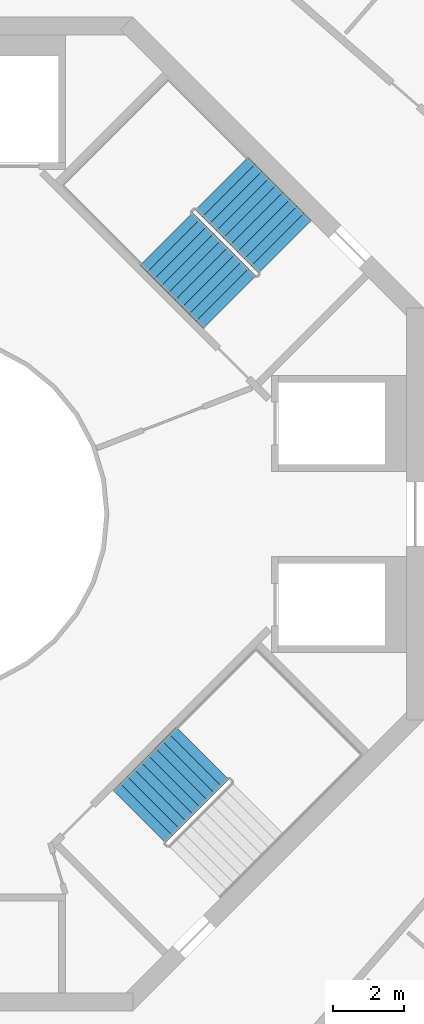
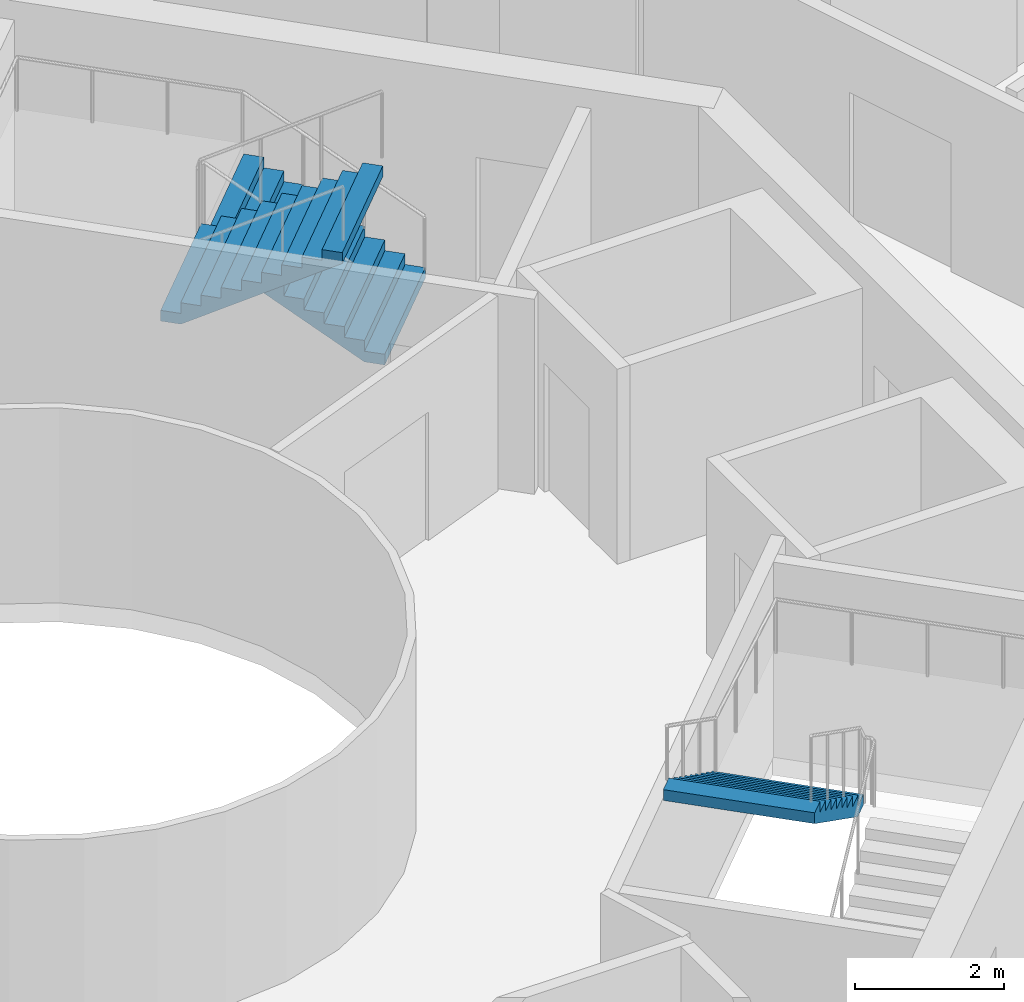
# One storey, part 21 of 22: 3 stair flights, 2 elements without a shape of their own.
"""IFC4 building model written with IfcOpenShell, lengths in metres."""

from ifc_helpers import new_model, si_unit, direction, frame, origin, place, context, subcontext, project, spatial, triangles, material, type_object, element, aggregate, save


model = new_model("IFC4")

# Units and contexts
model_context = context("Model", 3, precision=1e-05, world=origin(), true_north=direction((0.0, 1.0)))
body_context = subcontext(model_context, "Body", "Model", "MODEL_VIEW")
ifc_project = project(units=[si_unit("LENGTHUNIT", "METRE"), si_unit("AREAUNIT", "SQUARE_METRE"), si_unit("VOLUMEUNIT", "CUBIC_METRE"), si_unit("PLANEANGLEUNIT", "RADIAN"), si_unit("MASSUNIT", "GRAM", prefix="KILO")], contexts=[model_context])

# Site, building, storey
site_placement = place(None, origin())
site = spatial("IfcSite", under=ifc_project, at=site_placement, CompositionType="ELEMENT")
building_placement = place(site_placement, origin())
building = spatial("IfcBuilding", under=site, at=building_placement, Name="Verdalira Terraces Hotel", CompositionType="ELEMENT")
storey_placement = place(building_placement, frame((0.0, 0.0, 234.0)))
storey = spatial("IfcBuildingStorey", under=building, at=storey_placement, Name="L57", CompositionType="ELEMENT", Elevation=234.0)

# Stair, stair flights
ifc_material_1 = material(Name="Concrete C40", Category="concrete")
stair_type = type_object("IfcStairType", Name="Core stair 20 risers 2100 mm wide", PredefinedType="HALF_TURN_STAIR", material=ifc_material_1)
stair_1_placement = place(storey_placement, origin())
stair_1 = element("IfcStair", 1, at=stair_1_placement, inside=storey, type_object=stair_type, Name="L57 Exit stair ST1", PredefinedType="HALF_TURN_STAIR")
ifc_material_2 = material(Name="Concrete C40", Category="concrete")
stair_flight_type = type_object("IfcStairFlightType", Name="Core stair flight 20 risers 2100 mm wide", PredefinedType="STRAIGHT", material=ifc_material_2)
stair_flight_1_placement = place(storey_placement, frame((10.076172, 7.530762, 0.0), z_axis=(0.0, 0.0, 1.0), x_axis=(-0.707106781, 0.707106781, 0.0)))
stair_flight_1 = element("IfcStairFlight", 2, at=stair_flight_1_placement, type_object=stair_flight_type, Name="ST1 flight 1", NumberOfRisers=10, NumberOfTreads=9, PredefinedType="STRAIGHT", RiserHeight=0.175, TreadLength=0.28, context=body_context, shape_type="Tessellation", body=[
    triangles([(0.0, 1.050049, 0.0), (0.282715, 1.050049, 0.0), (2.52002, 1.050049, 1.398193), (0.0, -1.050049, 0.0), (0.282715, -1.050049, 0.0), (2.52002, -1.050049, 1.398193), (2.52002, 1.050049, 1.574951), (2.23999, 1.050049, 1.574951), (2.52002, -1.050049, 1.574951), (2.23999, -1.050049, 1.574951), (2.23999, 1.050049, 1.399902), (2.23999, -1.050049, 1.399902), (1.959961, 1.050049, 1.399902), (1.959961, -1.050049, 1.399902), (1.959961, 1.050049, 1.225098), (1.959961, -1.050049, 1.225098), (1.679932, 1.050049, 1.225098), (1.679932, 1.050049, 1.050049), (1.679932, -1.050049, 1.225098), (1.679932, -1.050049, 1.050049), (1.399902, 1.050049, 1.050049), (1.399902, 1.050049, 0.875), (1.399902, -1.050049, 1.050049), (1.399902, -1.050049, 0.875), (1.120117, 1.050049, 0.875), (1.120117, 1.050049, 0.699951), (1.120117, -1.050049, 0.875), (1.120117, -1.050049, 0.699951), (0.840088, 1.050049, 0.699951), (0.840088, 1.050049, 0.524902), (0.840088, -1.050049, 0.699951), (0.840088, -1.050049, 0.524902), (0.560059, 1.050049, 0.524902), (0.560059, 1.050049, 0.350098), (0.560059, -1.050049, 0.524902), (0.560059, -1.050049, 0.350098), (0.280029, 1.050049, 0.350098), (0.280029, 1.050049, 0.175049), (0.280029, -1.050049, 0.350098), (0.280029, -1.050049, 0.175049), (0.0, 1.050049, 0.175049), (0.0, -1.050049, 0.175049), (0.0, -0.984421, 0.0), (0.0, -0.984421, 0.175049), (0.0, -0.918793, 0.0), (0.0, -0.918793, 0.175049), (0.0, -0.853165, 0.0), (0.0, -0.853165, 0.175049), (0.0, -0.787537, 0.0), (0.0, -0.787537, 0.175049), (0.0, -0.721909, 0.0), (0.0, -0.721909, 0.175049), (0.0, -0.656281, 0.0), (0.0, -0.656281, 0.175049), (0.0, -0.590652, 0.0), (0.0, -0.590652, 0.175049), (0.0, -0.525024, 0.0), (0.0, -0.525024, 0.175049), (0.0, -0.459396, 0.0), (0.0, -0.459396, 0.175049), (0.0, -0.393768, 0.0), (0.0, -0.393768, 0.175049), (0.0, -0.32814, 0.0), (0.0, -0.32814, 0.175049), (0.0, -0.262512, 0.0), (0.0, -0.262512, 0.175049), (0.0, -0.196884, 0.0), (0.0, -0.196884, 0.175049), (0.0, -0.131256, 0.0), (0.0, -0.131256, 0.175049), (0.0, -0.065628, 0.0), (0.0, -0.065628, 0.175049), (0.0, 0.0, 0.0), (0.0, 0.0, 0.175049), (0.0, 0.065628, 0.0), (0.0, 0.065628, 0.175049), (0.0, 0.131256, 0.0), (0.0, 0.131256, 0.175049), (0.0, 0.196884, 0.0), (0.0, 0.196884, 0.175049), (0.0, 0.262512, 0.0), (0.0, 0.262512, 0.175049), (0.0, 0.32814, 0.0), (0.0, 0.32814, 0.175049), (0.0, 0.393768, 0.0), (0.0, 0.393768, 0.175049), (0.0, 0.459396, 0.0), (0.0, 0.459396, 0.175049), (0.0, 0.525024, 0.0), (0.0, 0.525024, 0.175049), (0.0, 0.590652, 0.0), (0.0, 0.590652, 0.175049), (0.0, 0.656281, 0.0), (0.0, 0.656281, 0.175049), (0.0, 0.721909, 0.0), (0.0, 0.721909, 0.175049), (0.0, 0.787537, 0.0), (0.0, 0.787537, 0.175049), (0.0, 0.853165, 0.0), (0.0, 0.853165, 0.175049), (0.0, 0.918793, 0.0), (0.0, 0.918793, 0.175049), (0.0, 0.984421, 0.0), (0.0, 0.984421, 0.175049), (2.52002, -0.984421, 1.574951), (2.52002, -0.918793, 1.574951), (2.52002, -0.853165, 1.574951), (2.52002, -0.787537, 1.574951), (2.52002, -0.721909, 1.574951), (2.52002, -0.656281, 1.574951), (2.52002, -0.590652, 1.574951), (2.52002, -0.525024, 1.574951), (2.52002, -0.459396, 1.574951), (2.52002, -0.393768, 1.574951), (2.52002, -0.32814, 1.574951), (2.52002, -0.262512, 1.574951), (2.52002, -0.196884, 1.574951), (2.52002, -0.131256, 1.574951), (2.52002, -0.065628, 1.574951), (2.52002, 0.0, 1.574951), (2.52002, 0.065628, 1.574951), (2.52002, 0.131256, 1.574951), (2.52002, 0.196884, 1.574951), (2.52002, 0.262512, 1.574951), (2.52002, 0.32814, 1.574951), (2.52002, 0.393768, 1.574951), (2.52002, 0.459396, 1.574951), (2.52002, 0.525024, 1.574951), (2.52002, 0.590652, 1.574951), (2.52002, 0.656281, 1.574951), (2.52002, 0.721909, 1.574951), (2.52002, 0.787537, 1.574951), (2.52002, 0.853165, 1.574951), (2.52002, 0.918793, 1.574951), (2.52002, 0.984421, 1.574951), (2.52002, -0.984421, 1.398193), (2.52002, -0.918793, 1.398193), (2.52002, -0.853165, 1.398193), (2.52002, -0.787537, 1.398193), (2.52002, -0.721909, 1.398193), (2.52002, -0.656281, 1.398193), (2.52002, -0.590652, 1.398193), (2.52002, -0.525024, 1.398193), (2.52002, -0.459396, 1.398193), (2.52002, -0.393768, 1.398193), (2.52002, -0.32814, 1.398193), (2.52002, -0.262512, 1.398193), (2.52002, -0.196884, 1.398193), (2.52002, -0.131256, 1.398193), (2.52002, -0.065628, 1.398193), (2.52002, 0.0, 1.398193), (2.52002, 0.065628, 1.398193), (2.52002, 0.131256, 1.398193), (2.52002, 0.196884, 1.398193), (2.52002, 0.262512, 1.398193), (2.52002, 0.32814, 1.398193), (2.52002, 0.393768, 1.398193), (2.52002, 0.459396, 1.398193), (2.52002, 0.525024, 1.398193), (2.52002, 0.590652, 1.398193), (2.52002, 0.656281, 1.398193), (2.52002, 0.721909, 1.398193), (2.52002, 0.787537, 1.398193), (2.52002, 0.853165, 1.398193), (2.52002, 0.918793, 1.398193), (2.52002, 0.984421, 1.398193)], [[1, 3, 2], [4, 5, 6], [3, 8, 7], [6, 9, 10], [3, 11, 8], [6, 10, 12], [3, 13, 11], [6, 12, 14], [3, 15, 13], [6, 14, 16], [15, 18, 17], [16, 19, 20], [3, 18, 15], [6, 16, 20], [18, 22, 21], [20, 23, 24], [3, 22, 18], [6, 20, 24], [22, 26, 25], [24, 27, 28], [3, 26, 22], [6, 24, 28], [26, 30, 29], [28, 31, 32], [3, 30, 26], [6, 28, 32], [1, 30, 3], [4, 6, 32], [30, 34, 33], [32, 35, 36], [34, 38, 37], [36, 39, 40], [30, 38, 34], [32, 36, 40], [1, 38, 30], [4, 32, 40], [38, 1, 41], [40, 42, 4], [4, 44, 43], [4, 42, 44], [43, 46, 45], [43, 44, 46], [45, 48, 47], [45, 46, 48], [47, 50, 49], [47, 48, 50], [49, 52, 51], [49, 50, 52], [51, 54, 53], [51, 52, 54], [53, 56, 55], [53, 54, 56], [55, 58, 57], [55, 56, 58], [57, 60, 59], [57, 58, 60], [59, 62, 61], [59, 60, 62], [61, 64, 63], [61, 62, 64], [63, 66, 65], [63, 64, 66], [65, 68, 67], [65, 66, 68], [67, 70, 69], [67, 68, 70], [69, 72, 71], [69, 70, 72], [71, 74, 73], [71, 72, 74], [73, 76, 75], [73, 74, 76], [75, 78, 77], [75, 76, 78], [77, 80, 79], [77, 78, 80], [79, 82, 81], [79, 80, 82], [81, 84, 83], [81, 82, 84], [83, 86, 85], [83, 84, 86], [85, 88, 87], [85, 86, 88], [87, 90, 89], [87, 88, 90], [89, 92, 91], [89, 90, 92], [91, 94, 93], [91, 92, 94], [93, 96, 95], [93, 94, 96], [95, 98, 97], [95, 96, 98], [97, 100, 99], [97, 98, 100], [99, 102, 101], [99, 100, 102], [101, 104, 103], [101, 102, 104], [103, 41, 1], [103, 104, 41], [42, 40, 44], [44, 40, 46], [46, 40, 48], [48, 40, 50], [50, 40, 52], [52, 40, 54], [54, 40, 56], [56, 40, 58], [58, 40, 60], [60, 40, 62], [62, 40, 64], [64, 40, 66], [66, 40, 68], [68, 40, 70], [70, 40, 72], [72, 40, 74], [74, 40, 76], [76, 40, 78], [78, 40, 80], [80, 40, 82], [82, 40, 84], [84, 40, 86], [86, 40, 88], [88, 40, 90], [90, 40, 92], [92, 40, 94], [94, 40, 96], [96, 40, 98], [98, 40, 100], [100, 40, 102], [102, 40, 104], [104, 40, 41], [41, 40, 38], [40, 37, 38], [40, 39, 37], [39, 34, 37], [39, 36, 34], [36, 33, 34], [36, 35, 33], [35, 30, 33], [35, 32, 30], [32, 29, 30], [32, 31, 29], [31, 26, 29], [31, 28, 26], [28, 25, 26], [28, 27, 25], [27, 22, 25], [27, 24, 22], [24, 21, 22], [24, 23, 21], [23, 18, 21], [23, 20, 18], [20, 17, 18], [20, 19, 17], [19, 15, 17], [19, 16, 15], [16, 13, 15], [16, 14, 13], [14, 11, 13], [14, 12, 11], [12, 8, 11], [12, 10, 8], [9, 105, 10], [105, 106, 10], [106, 107, 10], [107, 108, 10], [108, 109, 10], [109, 110, 10], [110, 111, 10], [111, 112, 10], [112, 113, 10], [113, 114, 10], [114, 115, 10], [115, 116, 10], [116, 117, 10], [117, 118, 10], [118, 119, 10], [119, 120, 10], [120, 121, 10], [121, 122, 10], [122, 123, 10], [123, 124, 10], [124, 125, 10], [125, 126, 10], [126, 127, 10], [127, 128, 10], [128, 129, 10], [129, 130, 10], [130, 131, 10], [131, 132, 10], [132, 133, 10], [133, 134, 10], [134, 135, 10], [135, 7, 10], [7, 8, 10], [9, 136, 105], [9, 6, 136], [105, 137, 106], [105, 136, 137], [106, 138, 107], [106, 137, 138], [107, 139, 108], [107, 138, 139], [108, 140, 109], [108, 139, 140], [109, 141, 110], [109, 140, 141], [110, 142, 111], [110, 141, 142], [111, 143, 112], [111, 142, 143], [112, 144, 113], [112, 143, 144], [113, 145, 114], [113, 144, 145], [114, 146, 115], [114, 145, 146], [115, 147, 116], [115, 146, 147], [116, 148, 117], [116, 147, 148], [117, 149, 118], [117, 148, 149], [118, 150, 119], [118, 149, 150], [119, 151, 120], [119, 150, 151], [120, 152, 121], [120, 151, 152], [121, 153, 122], [121, 152, 153], [122, 154, 123], [122, 153, 154], [123, 155, 124], [123, 154, 155], [124, 156, 125], [124, 155, 156], [125, 157, 126], [125, 156, 157], [126, 158, 127], [126, 157, 158], [127, 159, 128], [127, 158, 159], [128, 160, 129], [128, 159, 160], [129, 161, 130], [129, 160, 161], [130, 162, 131], [130, 161, 162], [131, 163, 132], [131, 162, 163], [132, 164, 133], [132, 163, 164], [133, 165, 134], [133, 164, 165], [134, 166, 135], [134, 165, 166], [135, 3, 7], [135, 166, 3], [6, 5, 136], [136, 5, 137], [137, 5, 138], [138, 5, 139], [139, 5, 140], [140, 5, 141], [141, 5, 142], [142, 5, 143], [143, 5, 144], [144, 5, 145], [145, 5, 146], [146, 5, 147], [147, 5, 148], [148, 5, 149], [149, 5, 150], [150, 5, 151], [151, 5, 152], [152, 5, 153], [153, 5, 154], [154, 5, 155], [155, 5, 156], [156, 5, 157], [157, 5, 158], [158, 5, 159], [159, 5, 160], [160, 5, 161], [161, 5, 162], [162, 5, 163], [163, 5, 164], [164, 5, 165], [165, 5, 166], [166, 5, 3], [3, 5, 2], [4, 43, 5], [43, 45, 5], [45, 47, 5], [47, 49, 5], [49, 51, 5], [51, 53, 5], [53, 55, 5], [55, 57, 5], [57, 59, 5], [59, 61, 5], [61, 63, 5], [63, 65, 5], [65, 67, 5], [67, 69, 5], [69, 71, 5], [71, 73, 5], [73, 75, 5], [75, 77, 5], [77, 79, 5], [79, 81, 5], [81, 83, 5], [83, 85, 5], [85, 87, 5], [87, 89, 5], [89, 91, 5], [91, 93, 5], [93, 95, 5], [95, 97, 5], [97, 99, 5], [99, 101, 5], [101, 103, 5], [103, 1, 5], [1, 2, 5]], closed=True),
])
stair_flight_2_placement = place(storey_placement, frame((6.73877, 7.75708, 1.75), z_axis=(0.0, 0.0, 1.0), x_axis=(0.707106781, -0.707106781, 0.0)))
stair_flight_2 = element("IfcStairFlight", 3, at=stair_flight_2_placement, type_object=stair_flight_type, Name="ST1 flight 2", NumberOfRisers=10, NumberOfTreads=9, PredefinedType="STRAIGHT", RiserHeight=0.175, TreadLength=0.28, context=body_context, shape_type="Tessellation", body=[
    triangles([(0.0, 1.050049, 0.0), (0.282715, 1.050049, 0.0), (2.52002, 1.050049, 1.398193), (0.0, -1.050049, 0.0), (0.282715, -1.050049, 0.0), (2.52002, -1.050049, 1.398193), (2.52002, 1.050049, 1.574951), (2.23999, 1.050049, 1.574951), (2.52002, -1.050049, 1.574951), (2.23999, -1.050049, 1.574951), (2.23999, 1.050049, 1.399902), (2.23999, -1.050049, 1.399902), (1.959961, 1.050049, 1.399902), (1.959961, -1.050049, 1.399902), (1.959961, 1.050049, 1.225098), (1.959961, -1.050049, 1.225098), (1.679932, 1.050049, 1.225098), (1.679932, 1.050049, 1.050049), (1.679932, -1.050049, 1.225098), (1.679932, -1.050049, 1.050049), (1.399902, 1.050049, 1.050049), (1.399902, 1.050049, 0.875), (1.399902, -1.050049, 1.050049), (1.399902, -1.050049, 0.875), (1.120117, 1.050049, 0.875), (1.120117, 1.050049, 0.699951), (1.120117, -1.050049, 0.875), (1.120117, -1.050049, 0.699951), (0.840088, 1.050049, 0.699951), (0.840088, 1.050049, 0.524902), (0.840088, -1.050049, 0.699951), (0.840088, -1.050049, 0.524902), (0.560059, 1.050049, 0.524902), (0.560059, 1.050049, 0.350098), (0.560059, -1.050049, 0.524902), (0.560059, -1.050049, 0.350098), (0.280029, 1.050049, 0.350098), (0.280029, 1.050049, 0.175049), (0.280029, -1.050049, 0.350098), (0.280029, -1.050049, 0.175049), (0.0, 1.050049, 0.175049), (0.0, -1.050049, 0.175049), (0.0, -0.984421, 0.0), (0.0, -0.984421, 0.175049), (0.0, -0.918793, 0.0), (0.0, -0.918793, 0.175049), (0.0, -0.853165, 0.0), (0.0, -0.853165, 0.175049), (0.0, -0.787537, 0.0), (0.0, -0.787537, 0.175049), (0.0, -0.721909, 0.0), (0.0, -0.721909, 0.175049), (0.0, -0.656281, 0.0), (0.0, -0.656281, 0.175049), (0.0, -0.590652, 0.0), (0.0, -0.590652, 0.175049), (0.0, -0.525024, 0.0), (0.0, -0.525024, 0.175049), (0.0, -0.459396, 0.0), (0.0, -0.459396, 0.175049), (0.0, -0.393768, 0.0), (0.0, -0.393768, 0.175049), (0.0, -0.32814, 0.0), (0.0, -0.32814, 0.175049), (0.0, -0.262512, 0.0), (0.0, -0.262512, 0.175049), (0.0, -0.196884, 0.0), (0.0, -0.196884, 0.175049), (0.0, -0.131256, 0.0), (0.0, -0.131256, 0.175049), (0.0, -0.065628, 0.0), (0.0, -0.065628, 0.175049), (0.0, 0.0, 0.0), (0.0, 0.0, 0.175049), (0.0, 0.065628, 0.0), (0.0, 0.065628, 0.175049), (0.0, 0.131256, 0.0), (0.0, 0.131256, 0.175049), (0.0, 0.196884, 0.0), (0.0, 0.196884, 0.175049), (0.0, 0.262512, 0.0), (0.0, 0.262512, 0.175049), (0.0, 0.32814, 0.0), (0.0, 0.32814, 0.175049), (0.0, 0.393768, 0.0), (0.0, 0.393768, 0.175049), (0.0, 0.459396, 0.0), (0.0, 0.459396, 0.175049), (0.0, 0.525024, 0.0), (0.0, 0.525024, 0.175049), (0.0, 0.590652, 0.0), (0.0, 0.590652, 0.175049), (0.0, 0.656281, 0.0), (0.0, 0.656281, 0.175049), (0.0, 0.721909, 0.0), (0.0, 0.721909, 0.175049), (0.0, 0.787537, 0.0), (0.0, 0.787537, 0.175049), (0.0, 0.853165, 0.0), (0.0, 0.853165, 0.175049), (0.0, 0.918793, 0.0), (0.0, 0.918793, 0.175049), (0.0, 0.984421, 0.0), (0.0, 0.984421, 0.175049), (2.52002, -0.984421, 1.574951), (2.52002, -0.918793, 1.574951), (2.52002, -0.853165, 1.574951), (2.52002, -0.787537, 1.574951), (2.52002, -0.721909, 1.574951), (2.52002, -0.656281, 1.574951), (2.52002, -0.590652, 1.574951), (2.52002, -0.525024, 1.574951), (2.52002, -0.459396, 1.574951), (2.52002, -0.393768, 1.574951), (2.52002, -0.32814, 1.574951), (2.52002, -0.262512, 1.574951), (2.52002, -0.196884, 1.574951), (2.52002, -0.131256, 1.574951), (2.52002, -0.065628, 1.574951), (2.52002, 0.0, 1.574951), (2.52002, 0.065628, 1.574951), (2.52002, 0.131256, 1.574951), (2.52002, 0.196884, 1.574951), (2.52002, 0.262512, 1.574951), (2.52002, 0.32814, 1.574951), (2.52002, 0.393768, 1.574951), (2.52002, 0.459396, 1.574951), (2.52002, 0.525024, 1.574951), (2.52002, 0.590652, 1.574951), (2.52002, 0.656281, 1.574951), (2.52002, 0.721909, 1.574951), (2.52002, 0.787537, 1.574951), (2.52002, 0.853165, 1.574951), (2.52002, 0.918793, 1.574951), (2.52002, 0.984421, 1.574951), (2.52002, -0.984421, 1.398193), (2.52002, -0.918793, 1.398193), (2.52002, -0.853165, 1.398193), (2.52002, -0.787537, 1.398193), (2.52002, -0.721909, 1.398193), (2.52002, -0.656281, 1.398193), (2.52002, -0.590652, 1.398193), (2.52002, -0.525024, 1.398193), (2.52002, -0.459396, 1.398193), (2.52002, -0.393768, 1.398193), (2.52002, -0.32814, 1.398193), (2.52002, -0.262512, 1.398193), (2.52002, -0.196884, 1.398193), (2.52002, -0.131256, 1.398193), (2.52002, -0.065628, 1.398193), (2.52002, 0.0, 1.398193), (2.52002, 0.065628, 1.398193), (2.52002, 0.131256, 1.398193), (2.52002, 0.196884, 1.398193), (2.52002, 0.262512, 1.398193), (2.52002, 0.32814, 1.398193), (2.52002, 0.393768, 1.398193), (2.52002, 0.459396, 1.398193), (2.52002, 0.525024, 1.398193), (2.52002, 0.590652, 1.398193), (2.52002, 0.656281, 1.398193), (2.52002, 0.721909, 1.398193), (2.52002, 0.787537, 1.398193), (2.52002, 0.853165, 1.398193), (2.52002, 0.918793, 1.398193), (2.52002, 0.984421, 1.398193)], [[1, 3, 2], [4, 5, 6], [3, 8, 7], [6, 9, 10], [3, 11, 8], [6, 10, 12], [3, 13, 11], [6, 12, 14], [3, 15, 13], [6, 14, 16], [15, 18, 17], [16, 19, 20], [3, 18, 15], [6, 16, 20], [18, 22, 21], [20, 23, 24], [3, 22, 18], [6, 20, 24], [22, 26, 25], [24, 27, 28], [3, 26, 22], [6, 24, 28], [26, 30, 29], [28, 31, 32], [3, 30, 26], [6, 28, 32], [1, 30, 3], [4, 6, 32], [30, 34, 33], [32, 35, 36], [34, 38, 37], [36, 39, 40], [30, 38, 34], [32, 36, 40], [1, 38, 30], [4, 32, 40], [38, 1, 41], [40, 42, 4], [4, 44, 43], [4, 42, 44], [43, 46, 45], [43, 44, 46], [45, 48, 47], [45, 46, 48], [47, 50, 49], [47, 48, 50], [49, 52, 51], [49, 50, 52], [51, 54, 53], [51, 52, 54], [53, 56, 55], [53, 54, 56], [55, 58, 57], [55, 56, 58], [57, 60, 59], [57, 58, 60], [59, 62, 61], [59, 60, 62], [61, 64, 63], [61, 62, 64], [63, 66, 65], [63, 64, 66], [65, 68, 67], [65, 66, 68], [67, 70, 69], [67, 68, 70], [69, 72, 71], [69, 70, 72], [71, 74, 73], [71, 72, 74], [73, 76, 75], [73, 74, 76], [75, 78, 77], [75, 76, 78], [77, 80, 79], [77, 78, 80], [79, 82, 81], [79, 80, 82], [81, 84, 83], [81, 82, 84], [83, 86, 85], [83, 84, 86], [85, 88, 87], [85, 86, 88], [87, 90, 89], [87, 88, 90], [89, 92, 91], [89, 90, 92], [91, 94, 93], [91, 92, 94], [93, 96, 95], [93, 94, 96], [95, 98, 97], [95, 96, 98], [97, 100, 99], [97, 98, 100], [99, 102, 101], [99, 100, 102], [101, 104, 103], [101, 102, 104], [103, 41, 1], [103, 104, 41], [42, 40, 44], [44, 40, 46], [46, 40, 48], [48, 40, 50], [50, 40, 52], [52, 40, 54], [54, 40, 56], [56, 40, 58], [58, 40, 60], [60, 40, 62], [62, 40, 64], [64, 40, 66], [66, 40, 68], [68, 40, 70], [70, 40, 72], [72, 40, 74], [74, 40, 76], [76, 40, 78], [78, 40, 80], [80, 40, 82], [82, 40, 84], [84, 40, 86], [86, 40, 88], [88, 40, 90], [90, 40, 92], [92, 40, 94], [94, 40, 96], [96, 40, 98], [98, 40, 100], [100, 40, 102], [102, 40, 104], [104, 40, 41], [41, 40, 38], [40, 37, 38], [40, 39, 37], [39, 34, 37], [39, 36, 34], [36, 33, 34], [36, 35, 33], [35, 30, 33], [35, 32, 30], [32, 29, 30], [32, 31, 29], [31, 26, 29], [31, 28, 26], [28, 25, 26], [28, 27, 25], [27, 22, 25], [27, 24, 22], [24, 21, 22], [24, 23, 21], [23, 18, 21], [23, 20, 18], [20, 17, 18], [20, 19, 17], [19, 15, 17], [19, 16, 15], [16, 13, 15], [16, 14, 13], [14, 11, 13], [14, 12, 11], [12, 8, 11], [12, 10, 8], [9, 105, 10], [105, 106, 10], [106, 107, 10], [107, 108, 10], [108, 109, 10], [109, 110, 10], [110, 111, 10], [111, 112, 10], [112, 113, 10], [113, 114, 10], [114, 115, 10], [115, 116, 10], [116, 117, 10], [117, 118, 10], [118, 119, 10], [119, 120, 10], [120, 121, 10], [121, 122, 10], [122, 123, 10], [123, 124, 10], [124, 125, 10], [125, 126, 10], [126, 127, 10], [127, 128, 10], [128, 129, 10], [129, 130, 10], [130, 131, 10], [131, 132, 10], [132, 133, 10], [133, 134, 10], [134, 135, 10], [135, 7, 10], [7, 8, 10], [9, 136, 105], [9, 6, 136], [105, 137, 106], [105, 136, 137], [106, 138, 107], [106, 137, 138], [107, 139, 108], [107, 138, 139], [108, 140, 109], [108, 139, 140], [109, 141, 110], [109, 140, 141], [110, 142, 111], [110, 141, 142], [111, 143, 112], [111, 142, 143], [112, 144, 113], [112, 143, 144], [113, 145, 114], [113, 144, 145], [114, 146, 115], [114, 145, 146], [115, 147, 116], [115, 146, 147], [116, 148, 117], [116, 147, 148], [117, 149, 118], [117, 148, 149], [118, 150, 119], [118, 149, 150], [119, 151, 120], [119, 150, 151], [120, 152, 121], [120, 151, 152], [121, 153, 122], [121, 152, 153], [122, 154, 123], [122, 153, 154], [123, 155, 124], [123, 154, 155], [124, 156, 125], [124, 155, 156], [125, 157, 126], [125, 156, 157], [126, 158, 127], [126, 157, 158], [127, 159, 128], [127, 158, 159], [128, 160, 129], [128, 159, 160], [129, 161, 130], [129, 160, 161], [130, 162, 131], [130, 161, 162], [131, 163, 132], [131, 162, 163], [132, 164, 133], [132, 163, 164], [133, 165, 134], [133, 164, 165], [134, 166, 135], [134, 165, 166], [135, 3, 7], [135, 166, 3], [6, 5, 136], [136, 5, 137], [137, 5, 138], [138, 5, 139], [139, 5, 140], [140, 5, 141], [141, 5, 142], [142, 5, 143], [143, 5, 144], [144, 5, 145], [145, 5, 146], [146, 5, 147], [147, 5, 148], [148, 5, 149], [149, 5, 150], [150, 5, 151], [151, 5, 152], [152, 5, 153], [153, 5, 154], [154, 5, 155], [155, 5, 156], [156, 5, 157], [157, 5, 158], [158, 5, 159], [159, 5, 160], [160, 5, 161], [161, 5, 162], [162, 5, 163], [163, 5, 164], [164, 5, 165], [165, 5, 166], [166, 5, 3], [3, 5, 2], [4, 43, 5], [43, 45, 5], [45, 47, 5], [47, 49, 5], [49, 51, 5], [51, 53, 5], [53, 55, 5], [55, 57, 5], [57, 59, 5], [59, 61, 5], [61, 63, 5], [63, 65, 5], [65, 67, 5], [67, 69, 5], [69, 71, 5], [71, 73, 5], [73, 75, 5], [75, 77, 5], [77, 79, 5], [79, 81, 5], [81, 83, 5], [83, 85, 5], [85, 87, 5], [87, 89, 5], [89, 91, 5], [91, 93, 5], [93, 95, 5], [95, 97, 5], [97, 99, 5], [99, 101, 5], [101, 103, 5], [103, 1, 5], [1, 2, 5]], closed=True),
])
aggregate(stair_1, [stair_flight_1, stair_flight_2])

# Stair, stair flight
stair_2_placement = place(storey_placement, origin())
stair_2 = element("IfcStair", 4, at=stair_2_placement, inside=storey, type_object=stair_type, Name="L57 Exit stair ST3", PredefinedType="HALF_TURN_STAIR")
stair_flight_3_placement = place(storey_placement, frame((7.75708, -6.73877, 1.75), z_axis=(0.0, 0.0, 1.0), x_axis=(-0.707106781, -0.707106781, 0.0)))
stair_flight_3 = element("IfcStairFlight", 5, at=stair_flight_3_placement, type_object=stair_flight_type, Name="ST3 flight 2", NumberOfRisers=10, NumberOfTreads=9, PredefinedType="STRAIGHT", RiserHeight=0.175, TreadLength=0.28, context=body_context, shape_type="Tessellation", body=[
    triangles([(0.0, 1.050049, 0.0), (0.282715, 1.050049, 0.0), (2.52002, 1.050049, 1.398193), (0.0, -1.050049, 0.0), (0.282715, -1.050049, 0.0), (2.52002, -1.050049, 1.398193), (2.52002, 1.050049, 1.574951), (2.23999, 1.050049, 1.574951), (2.52002, -1.050049, 1.574951), (2.23999, -1.050049, 1.574951), (2.23999, 1.050049, 1.399902), (2.23999, -1.050049, 1.399902), (1.959961, 1.050049, 1.399902), (1.959961, -1.050049, 1.399902), (1.959961, 1.050049, 1.225098), (1.959961, -1.050049, 1.225098), (1.679932, 1.050049, 1.225098), (1.679932, 1.050049, 1.050049), (1.679932, -1.050049, 1.225098), (1.679932, -1.050049, 1.050049), (1.399902, 1.050049, 1.050049), (1.399902, 1.050049, 0.875), (1.399902, -1.050049, 1.050049), (1.399902, -1.050049, 0.875), (1.120117, 1.050049, 0.875), (1.120117, 1.050049, 0.699951), (1.120117, -1.050049, 0.875), (1.120117, -1.050049, 0.699951), (0.840088, 1.050049, 0.699951), (0.840088, 1.050049, 0.524902), (0.840088, -1.050049, 0.699951), (0.840088, -1.050049, 0.524902), (0.560059, 1.050049, 0.524902), (0.560059, 1.050049, 0.350098), (0.560059, -1.050049, 0.524902), (0.560059, -1.050049, 0.350098), (0.280029, 1.050049, 0.350098), (0.280029, 1.050049, 0.175049), (0.280029, -1.050049, 0.350098), (0.280029, -1.050049, 0.175049), (0.0, 1.050049, 0.175049), (0.0, -1.050049, 0.175049), (0.0, -0.984421, 0.0), (0.0, -0.984421, 0.175049), (0.0, -0.918793, 0.0), (0.0, -0.918793, 0.175049), (0.0, -0.853165, 0.0), (0.0, -0.853165, 0.175049), (0.0, -0.787537, 0.0), (0.0, -0.787537, 0.175049), (0.0, -0.721909, 0.0), (0.0, -0.721909, 0.175049), (0.0, -0.656281, 0.0), (0.0, -0.656281, 0.175049), (0.0, -0.590652, 0.0), (0.0, -0.590652, 0.175049), (0.0, -0.525024, 0.0), (0.0, -0.525024, 0.175049), (0.0, -0.459396, 0.0), (0.0, -0.459396, 0.175049), (0.0, -0.393768, 0.0), (0.0, -0.393768, 0.175049), (0.0, -0.32814, 0.0), (0.0, -0.32814, 0.175049), (0.0, -0.262512, 0.0), (0.0, -0.262512, 0.175049), (0.0, -0.196884, 0.0), (0.0, -0.196884, 0.175049), (0.0, -0.131256, 0.0), (0.0, -0.131256, 0.175049), (0.0, -0.065628, 0.0), (0.0, -0.065628, 0.175049), (0.0, 0.0, 0.0), (0.0, 0.0, 0.175049), (0.0, 0.065628, 0.0), (0.0, 0.065628, 0.175049), (0.0, 0.131256, 0.0), (0.0, 0.131256, 0.175049), (0.0, 0.196884, 0.0), (0.0, 0.196884, 0.175049), (0.0, 0.262512, 0.0), (0.0, 0.262512, 0.175049), (0.0, 0.32814, 0.0), (0.0, 0.32814, 0.175049), (0.0, 0.393768, 0.0), (0.0, 0.393768, 0.175049), (0.0, 0.459396, 0.0), (0.0, 0.459396, 0.175049), (0.0, 0.525024, 0.0), (0.0, 0.525024, 0.175049), (0.0, 0.590652, 0.0), (0.0, 0.590652, 0.175049), (0.0, 0.656281, 0.0), (0.0, 0.656281, 0.175049), (0.0, 0.721909, 0.0), (0.0, 0.721909, 0.175049), (0.0, 0.787537, 0.0), (0.0, 0.787537, 0.175049), (0.0, 0.853165, 0.0), (0.0, 0.853165, 0.175049), (0.0, 0.918793, 0.0), (0.0, 0.918793, 0.175049), (0.0, 0.984421, 0.0), (0.0, 0.984421, 0.175049), (2.52002, -0.984421, 1.574951), (2.52002, -0.918793, 1.574951), (2.52002, -0.853165, 1.574951), (2.52002, -0.787537, 1.574951), (2.52002, -0.721909, 1.574951), (2.52002, -0.656281, 1.574951), (2.52002, -0.590652, 1.574951), (2.52002, -0.525024, 1.574951), (2.52002, -0.459396, 1.574951), (2.52002, -0.393768, 1.574951), (2.52002, -0.32814, 1.574951), (2.52002, -0.262512, 1.574951), (2.52002, -0.196884, 1.574951), (2.52002, -0.131256, 1.574951), (2.52002, -0.065628, 1.574951), (2.52002, 0.0, 1.574951), (2.52002, 0.065628, 1.574951), (2.52002, 0.131256, 1.574951), (2.52002, 0.196884, 1.574951), (2.52002, 0.262512, 1.574951), (2.52002, 0.32814, 1.574951), (2.52002, 0.393768, 1.574951), (2.52002, 0.459396, 1.574951), (2.52002, 0.525024, 1.574951), (2.52002, 0.590652, 1.574951), (2.52002, 0.656281, 1.574951), (2.52002, 0.721909, 1.574951), (2.52002, 0.787537, 1.574951), (2.52002, 0.853165, 1.574951), (2.52002, 0.918793, 1.574951), (2.52002, 0.984421, 1.574951), (2.52002, -0.984421, 1.398193), (2.52002, -0.918793, 1.398193), (2.52002, -0.853165, 1.398193), (2.52002, -0.787537, 1.398193), (2.52002, -0.721909, 1.398193), (2.52002, -0.656281, 1.398193), (2.52002, -0.590652, 1.398193), (2.52002, -0.525024, 1.398193), (2.52002, -0.459396, 1.398193), (2.52002, -0.393768, 1.398193), (2.52002, -0.32814, 1.398193), (2.52002, -0.262512, 1.398193), (2.52002, -0.196884, 1.398193), (2.52002, -0.131256, 1.398193), (2.52002, -0.065628, 1.398193), (2.52002, 0.0, 1.398193), (2.52002, 0.065628, 1.398193), (2.52002, 0.131256, 1.398193), (2.52002, 0.196884, 1.398193), (2.52002, 0.262512, 1.398193), (2.52002, 0.32814, 1.398193), (2.52002, 0.393768, 1.398193), (2.52002, 0.459396, 1.398193), (2.52002, 0.525024, 1.398193), (2.52002, 0.590652, 1.398193), (2.52002, 0.656281, 1.398193), (2.52002, 0.721909, 1.398193), (2.52002, 0.787537, 1.398193), (2.52002, 0.853165, 1.398193), (2.52002, 0.918793, 1.398193), (2.52002, 0.984421, 1.398193)], [[1, 3, 2], [4, 5, 6], [3, 8, 7], [6, 9, 10], [3, 11, 8], [6, 10, 12], [3, 13, 11], [6, 12, 14], [3, 15, 13], [6, 14, 16], [15, 18, 17], [16, 19, 20], [3, 18, 15], [6, 16, 20], [18, 22, 21], [20, 23, 24], [3, 22, 18], [6, 20, 24], [22, 26, 25], [24, 27, 28], [3, 26, 22], [6, 24, 28], [26, 30, 29], [28, 31, 32], [3, 30, 26], [6, 28, 32], [1, 30, 3], [4, 6, 32], [30, 34, 33], [32, 35, 36], [34, 38, 37], [36, 39, 40], [30, 38, 34], [32, 36, 40], [1, 38, 30], [4, 32, 40], [38, 1, 41], [40, 42, 4], [4, 44, 43], [4, 42, 44], [43, 46, 45], [43, 44, 46], [45, 48, 47], [45, 46, 48], [47, 50, 49], [47, 48, 50], [49, 52, 51], [49, 50, 52], [51, 54, 53], [51, 52, 54], [53, 56, 55], [53, 54, 56], [55, 58, 57], [55, 56, 58], [57, 60, 59], [57, 58, 60], [59, 62, 61], [59, 60, 62], [61, 64, 63], [61, 62, 64], [63, 66, 65], [63, 64, 66], [65, 68, 67], [65, 66, 68], [67, 70, 69], [67, 68, 70], [69, 72, 71], [69, 70, 72], [71, 74, 73], [71, 72, 74], [73, 76, 75], [73, 74, 76], [75, 78, 77], [75, 76, 78], [77, 80, 79], [77, 78, 80], [79, 82, 81], [79, 80, 82], [81, 84, 83], [81, 82, 84], [83, 86, 85], [83, 84, 86], [85, 88, 87], [85, 86, 88], [87, 90, 89], [87, 88, 90], [89, 92, 91], [89, 90, 92], [91, 94, 93], [91, 92, 94], [93, 96, 95], [93, 94, 96], [95, 98, 97], [95, 96, 98], [97, 100, 99], [97, 98, 100], [99, 102, 101], [99, 100, 102], [101, 104, 103], [101, 102, 104], [103, 41, 1], [103, 104, 41], [42, 40, 44], [44, 40, 46], [46, 40, 48], [48, 40, 50], [50, 40, 52], [52, 40, 54], [54, 40, 56], [56, 40, 58], [58, 40, 60], [60, 40, 62], [62, 40, 64], [64, 40, 66], [66, 40, 68], [68, 40, 70], [70, 40, 72], [72, 40, 74], [74, 40, 76], [76, 40, 78], [78, 40, 80], [80, 40, 82], [82, 40, 84], [84, 40, 86], [86, 40, 88], [88, 40, 90], [90, 40, 92], [92, 40, 94], [94, 40, 96], [96, 40, 98], [98, 40, 100], [100, 40, 102], [102, 40, 104], [104, 40, 41], [41, 40, 38], [40, 37, 38], [40, 39, 37], [39, 34, 37], [39, 36, 34], [36, 33, 34], [36, 35, 33], [35, 30, 33], [35, 32, 30], [32, 29, 30], [32, 31, 29], [31, 26, 29], [31, 28, 26], [28, 25, 26], [28, 27, 25], [27, 22, 25], [27, 24, 22], [24, 21, 22], [24, 23, 21], [23, 18, 21], [23, 20, 18], [20, 17, 18], [20, 19, 17], [19, 15, 17], [19, 16, 15], [16, 13, 15], [16, 14, 13], [14, 11, 13], [14, 12, 11], [12, 8, 11], [12, 10, 8], [9, 105, 10], [105, 106, 10], [106, 107, 10], [107, 108, 10], [108, 109, 10], [109, 110, 10], [110, 111, 10], [111, 112, 10], [112, 113, 10], [113, 114, 10], [114, 115, 10], [115, 116, 10], [116, 117, 10], [117, 118, 10], [118, 119, 10], [119, 120, 10], [120, 121, 10], [121, 122, 10], [122, 123, 10], [123, 124, 10], [124, 125, 10], [125, 126, 10], [126, 127, 10], [127, 128, 10], [128, 129, 10], [129, 130, 10], [130, 131, 10], [131, 132, 10], [132, 133, 10], [133, 134, 10], [134, 135, 10], [135, 7, 10], [7, 8, 10], [9, 136, 105], [9, 6, 136], [105, 137, 106], [105, 136, 137], [106, 138, 107], [106, 137, 138], [107, 139, 108], [107, 138, 139], [108, 140, 109], [108, 139, 140], [109, 141, 110], [109, 140, 141], [110, 142, 111], [110, 141, 142], [111, 143, 112], [111, 142, 143], [112, 144, 113], [112, 143, 144], [113, 145, 114], [113, 144, 145], [114, 146, 115], [114, 145, 146], [115, 147, 116], [115, 146, 147], [116, 148, 117], [116, 147, 148], [117, 149, 118], [117, 148, 149], [118, 150, 119], [118, 149, 150], [119, 151, 120], [119, 150, 151], [120, 152, 121], [120, 151, 152], [121, 153, 122], [121, 152, 153], [122, 154, 123], [122, 153, 154], [123, 155, 124], [123, 154, 155], [124, 156, 125], [124, 155, 156], [125, 157, 126], [125, 156, 157], [126, 158, 127], [126, 157, 158], [127, 159, 128], [127, 158, 159], [128, 160, 129], [128, 159, 160], [129, 161, 130], [129, 160, 161], [130, 162, 131], [130, 161, 162], [131, 163, 132], [131, 162, 163], [132, 164, 133], [132, 163, 164], [133, 165, 134], [133, 164, 165], [134, 166, 135], [134, 165, 166], [135, 3, 7], [135, 166, 3], [6, 5, 136], [136, 5, 137], [137, 5, 138], [138, 5, 139], [139, 5, 140], [140, 5, 141], [141, 5, 142], [142, 5, 143], [143, 5, 144], [144, 5, 145], [145, 5, 146], [146, 5, 147], [147, 5, 148], [148, 5, 149], [149, 5, 150], [150, 5, 151], [151, 5, 152], [152, 5, 153], [153, 5, 154], [154, 5, 155], [155, 5, 156], [156, 5, 157], [157, 5, 158], [158, 5, 159], [159, 5, 160], [160, 5, 161], [161, 5, 162], [162, 5, 163], [163, 5, 164], [164, 5, 165], [165, 5, 166], [166, 5, 3], [3, 5, 2], [4, 43, 5], [43, 45, 5], [45, 47, 5], [47, 49, 5], [49, 51, 5], [51, 53, 5], [53, 55, 5], [55, 57, 5], [57, 59, 5], [59, 61, 5], [61, 63, 5], [63, 65, 5], [65, 67, 5], [67, 69, 5], [69, 71, 5], [71, 73, 5], [73, 75, 5], [75, 77, 5], [77, 79, 5], [79, 81, 5], [81, 83, 5], [83, 85, 5], [85, 87, 5], [87, 89, 5], [89, 91, 5], [91, 93, 5], [93, 95, 5], [95, 97, 5], [97, 99, 5], [99, 101, 5], [101, 103, 5], [103, 1, 5], [1, 2, 5]], closed=True),
])
aggregate(stair_2, [stair_flight_3])

save(model, "model.ifc")
